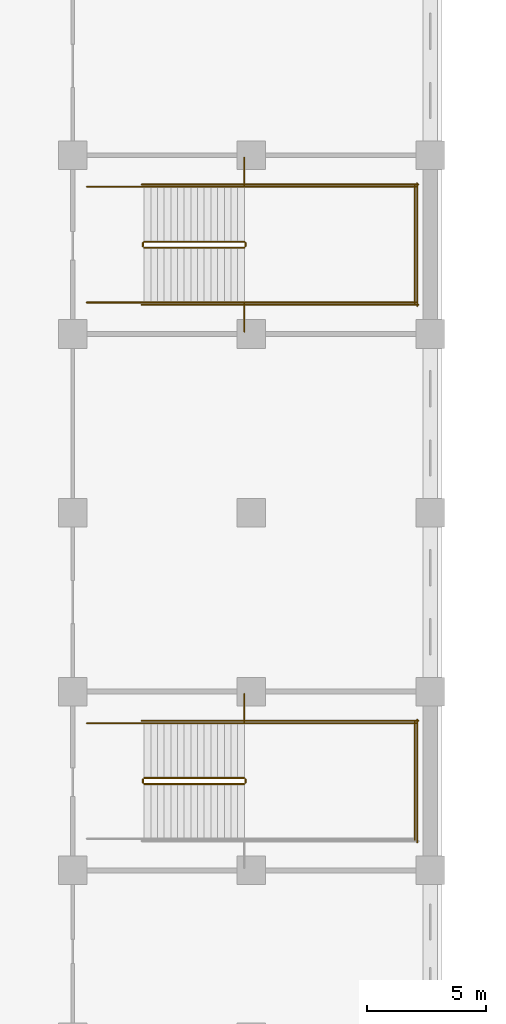
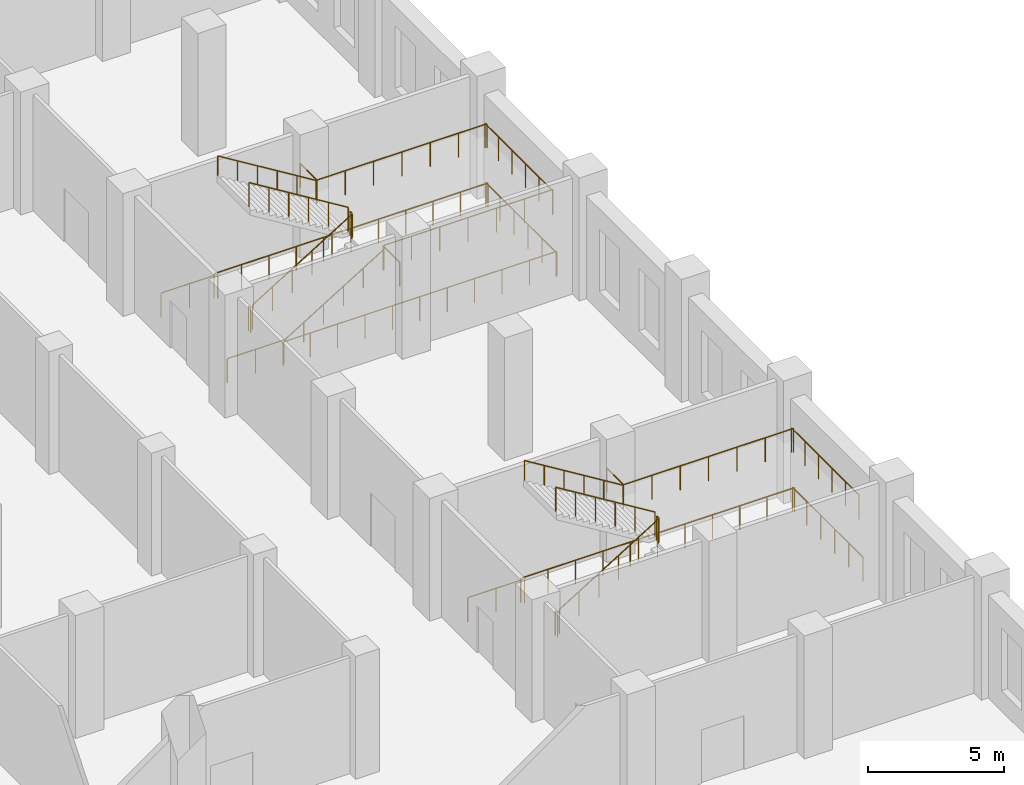
# One storey, part 22 of 25: 27 railings.
"""IFC4 building model written with IfcOpenShell, lengths in metres."""

from ifc_helpers import new_model, si_unit, direction, frame, origin, origin_2d, place, context, subcontext, project, spatial, circle, extrude, material, type_object, element, save


model = new_model("IFC4")

# Units and contexts
model_context = context("Model", 3, precision=1e-05, world=origin(), true_north=direction((0.0, 1.0)))
body_context = subcontext(model_context, "Body", "Model", "MODEL_VIEW")
ifc_project = project(units=[si_unit("LENGTHUNIT", "METRE"), si_unit("AREAUNIT", "SQUARE_METRE"), si_unit("VOLUMEUNIT", "CUBIC_METRE"), si_unit("PLANEANGLEUNIT", "RADIAN"), si_unit("MASSUNIT", "GRAM", prefix="KILO")], contexts=[model_context])

# Site, building, storey
site_placement = place(None, origin())
site = spatial("IfcSite", under=ifc_project, at=site_placement, CompositionType="ELEMENT")
building_placement = place(site_placement, origin())
building = spatial("IfcBuilding", under=site, at=building_placement, Name="Tamorin Gate", CompositionType="ELEMENT")
storey_placement = place(building_placement, frame((0.0, 0.0, 23.5)))
storey = spatial("IfcBuildingStorey", under=building, at=storey_placement, Name="L04", CompositionType="ELEMENT", Elevation=23.5)

# Railings
ifc_material = material(Name="Steel", Category="steel")
railing_type_1 = type_object("IfcRailingType", Name="Podium guard 1100", PredefinedType="GUARDRAIL", material=ifc_material)
railing_1_placement = place(storey_placement, frame((100.0, 56.125, 0.171875)))
element("IfcRailing", 1, at=railing_1_placement, inside=storey, type_object=railing_type_1, Name="L04 PS3 stair guard 1", PredefinedType="GUARDRAIL", context=body_context, shape_type="SweptSolid", body=[
    extrude(circle(Radius=0.02392578125, at=origin_2d()), frame((0.0, 0.0, 1.076171875), z_axis=(0.852242915053, 0.0, 0.523146264196), x_axis=(0.0, 1.0, 0.0)), (0.0, 0.0, 1.0), 4.92822265625),
    extrude(circle(Radius=0.02099609375, at=origin_2d()), origin(), (0.0, 0.0, 1.0), 1.052001953125),
    extrude(circle(Radius=0.02099609375, at=origin_2d()), frame((0.840087890625, 0.0, 0.515625)), (0.0, 0.0, 1.0), 1.052001953125),
    extrude(circle(Radius=0.02099609375, at=origin_2d()), frame((1.679931640625, 0.0, 1.03125)), (0.0, 0.0, 1.0), 1.052001953125),
    extrude(circle(Radius=0.02099609375, at=origin_2d()), frame((2.52001953125, 0.0, 1.546875)), (0.0, 0.0, 1.0), 1.052001953125),
    extrude(circle(Radius=0.02099609375, at=origin_2d()), frame((3.35986328125, 0.0, 2.0625)), (0.0, 0.0, 1.0), 1.052001953125),
    extrude(circle(Radius=0.02099609375, at=origin_2d()), frame((4.199951171875, 0.0, 2.578125)), (0.0, 0.0, 1.0), 1.052001953125),
])
railing_2_placement = place(storey_placement, frame((104.25, 56.175048828125, 2.75)))
element("IfcRailing", 2, at=railing_2_placement, inside=storey, type_object=railing_type_1, Name="L04 PS3 stair guard 2", PredefinedType="GUARDRAIL", context=body_context, shape_type="SweptSolid", body=[
    extrude(circle(Radius=0.02392578125, at=origin_2d()), frame((0.0, 0.0, 1.076171875), z_axis=(0.0, 1.0, 0.0), x_axis=(-1.0, 0.0, 0.0)), (0.0, 0.0, 1.0), 0.14990234375),
    extrude(circle(Radius=0.02099609375, at=origin_2d()), origin(), (0.0, 0.0, 1.0), 1.052001953125),
    extrude(circle(Radius=0.02099609375, at=origin_2d()), frame((0.0, 0.14990234375, 0.0)), (0.0, 0.0, 1.0), 1.052001953125),
])
railing_3_placement = place(storey_placement, frame((104.199951171875, 58.675048828125, 2.75)))
element("IfcRailing", 3, at=railing_3_placement, inside=storey, type_object=railing_type_1, Name="L04 PS3 stair guard 4", PredefinedType="GUARDRAIL", context=body_context, shape_type="SweptSolid", body=[
    extrude(circle(Radius=0.02392578125, at=origin_2d()), frame((0.0, 0.0, 1.076171875), z_axis=(1.0, 0.0, 0.0), x_axis=(0.0, 1.0, 0.0)), (0.0, 0.0, 1.0), 7.199951171875),
    extrude(circle(Radius=0.02099609375, at=origin_2d()), origin(), (0.0, 0.0, 1.0), 1.052001953125),
    extrude(circle(Radius=0.02099609375, at=origin_2d()), frame((1.199951171875, 0.0, 0.0)), (0.0, 0.0, 1.0), 1.052001953125),
    extrude(circle(Radius=0.02099609375, at=origin_2d()), frame((2.39990234375, 0.0, 0.0)), (0.0, 0.0, 1.0), 1.052001953125),
    extrude(circle(Radius=0.02099609375, at=origin_2d()), frame((3.60009765625, 0.0, 0.0)), (0.0, 0.0, 1.0), 1.052001953125),
    extrude(circle(Radius=0.02099609375, at=origin_2d()), frame((4.800048828125, 0.0, 0.0)), (0.0, 0.0, 1.0), 1.052001953125),
    extrude(circle(Radius=0.02099609375, at=origin_2d()), frame((6.0, 0.0, 0.0)), (0.0, 0.0, 1.0), 1.052001953125),
    extrude(circle(Radius=0.02099609375, at=origin_2d()), frame((7.199951171875, 0.0, 0.0)), (0.0, 0.0, 1.0), 1.052001953125),
])
railing_4_placement = place(storey_placement, frame((111.35009765625, 53.77490234375, 2.75)))
element("IfcRailing", 4, at=railing_4_placement, inside=storey, type_object=railing_type_1, Name="L04 PS3 stair guard 5", PredefinedType="GUARDRAIL", context=body_context, shape_type="SweptSolid", body=[
    extrude(circle(Radius=0.02392578125, at=origin_2d()), frame((0.0, 0.0, 1.076171875), z_axis=(0.0, 1.0, 0.0), x_axis=(-1.0, 0.0, 0.0)), (0.0, 0.0, 1.0), 4.9501953125),
    extrude(circle(Radius=0.02099609375, at=origin_2d()), origin(), (0.0, 0.0, 1.0), 1.052001953125),
    extrude(circle(Radius=0.02099609375, at=origin_2d()), frame((0.0, 0.989990234375, 0.0)), (0.0, 0.0, 1.0), 1.052001953125),
    extrude(circle(Radius=0.02099609375, at=origin_2d()), frame((0.0, 1.97998046875, 0.0)), (0.0, 0.0, 1.0), 1.052001953125),
    extrude(circle(Radius=0.02099609375, at=origin_2d()), frame((0.0, 2.97021484375, 0.0)), (0.0, 0.0, 1.0), 1.052001953125),
    extrude(circle(Radius=0.02099609375, at=origin_2d()), frame((0.0, 3.960205078125, 0.0)), (0.0, 0.0, 1.0), 1.052001953125),
    extrude(circle(Radius=0.02099609375, at=origin_2d()), frame((0.0, 4.9501953125, 0.0)), (0.0, 0.0, 1.0), 1.052001953125),
])
railing_5_placement = place(storey_placement, frame((104.199951171875, 56.375, 2.921875)))
element("IfcRailing", 5, at=railing_5_placement, inside=storey, type_object=railing_type_1, Name="L04 PS3 stair guard 6", PredefinedType="GUARDRAIL", context=body_context, shape_type="SweptSolid", body=[
    extrude(circle(Radius=0.02392578125, at=origin_2d()), frame((0.0, 0.0, 1.076171875), z_axis=(-0.852242915053, 0.0, 0.523146264196), x_axis=(0.0, -1.0, 0.0)), (0.0, 0.0, 1.0), 4.92822265625),
    extrude(circle(Radius=0.02099609375, at=origin_2d()), origin(), (0.0, 0.0, 1.0), 1.052001953125),
    extrude(circle(Radius=0.02099609375, at=origin_2d()), frame((-0.840087890625, 0.0, 0.515625)), (0.0, 0.0, 1.0), 1.052001953125),
    extrude(circle(Radius=0.02099609375, at=origin_2d()), frame((-1.679931640625, 0.0, 1.03125)), (0.0, 0.0, 1.0), 1.052001953125),
    extrude(circle(Radius=0.02099609375, at=origin_2d()), frame((-2.52001953125, 0.0, 1.546875)), (0.0, 0.0, 1.0), 1.052001953125),
    extrude(circle(Radius=0.02099609375, at=origin_2d()), frame((-3.35986328125, 0.0, 2.0625)), (0.0, 0.0, 1.0), 1.052001953125),
    extrude(circle(Radius=0.02099609375, at=origin_2d()), frame((-4.199951171875, 0.0, 2.578125)), (0.0, 0.0, 1.0), 1.052001953125),
])
railing_6_placement = place(storey_placement, frame((99.949951171875, 56.175048828125, 0.0)))
element("IfcRailing", 6, at=railing_6_placement, inside=storey, type_object=railing_type_1, Name="L04 PS3 stair guard 7", PredefinedType="GUARDRAIL", context=body_context, shape_type="SweptSolid", body=[
    extrude(circle(Radius=0.02392578125, at=origin_2d()), frame((0.0, 0.0, 1.076171875), z_axis=(0.0, 1.0, 0.0), x_axis=(-1.0, 0.0, 0.0)), (0.0, 0.0, 1.0), 0.14990234375),
    extrude(circle(Radius=0.02099609375, at=origin_2d()), origin(), (0.0, 0.0, 1.0), 1.052001953125),
    extrude(circle(Radius=0.02099609375, at=origin_2d()), frame((0.0, 0.14990234375, 0.0)), (0.0, 0.0, 1.0), 1.052001953125),
])
railing_7_placement = place(storey_placement, frame((97.60009765625, 58.675048828125, 0.0)))
element("IfcRailing", 7, at=railing_7_placement, inside=storey, type_object=railing_type_1, Name="L04 PS3 stair guard 9", PredefinedType="GUARDRAIL", context=body_context, shape_type="SweptSolid", body=[
    extrude(circle(Radius=0.02392578125, at=origin_2d()), frame((0.0, 0.0, 1.076171875), z_axis=(1.0, 0.0, 0.0), x_axis=(0.0, 1.0, 0.0)), (0.0, 0.0, 1.0), 2.39990234375),
    extrude(circle(Radius=0.02099609375, at=origin_2d()), origin(), (0.0, 0.0, 1.0), 1.052001953125),
    extrude(circle(Radius=0.02099609375, at=origin_2d()), frame((1.199951171875, 0.0, 0.0)), (0.0, 0.0, 1.0), 1.052001953125),
    extrude(circle(Radius=0.02099609375, at=origin_2d()), frame((2.39990234375, 0.0, 0.0)), (0.0, 0.0, 1.0), 1.052001953125),
])
railing_8_placement = place(storey_placement, frame((99.89990234375, 58.77490234375, 0.0)))
element("IfcRailing", 8, at=railing_8_placement, inside=storey, type_object=railing_type_1, Name="L04 PS3 stair guard 11", PredefinedType="GUARDRAIL", context=body_context, shape_type="SweptSolid", body=[
    extrude(circle(Radius=0.02392578125, at=origin_2d()), frame((0.0, 0.0, 1.076171875), z_axis=(1.0, 0.0, 0.0), x_axis=(0.0, 1.0, 0.0)), (0.0, 0.0, 1.0), 11.60009765625),
    extrude(circle(Radius=0.02099609375, at=origin_2d()), origin(), (0.0, 0.0, 1.0), 1.052001953125),
    extrude(circle(Radius=0.02099609375, at=origin_2d()), frame((1.159912109375, 0.0, 0.0)), (0.0, 0.0, 1.0), 1.052001953125),
    extrude(circle(Radius=0.02099609375, at=origin_2d()), frame((2.320068359375, 0.0, 0.0)), (0.0, 0.0, 1.0), 1.052001953125),
    extrude(circle(Radius=0.02099609375, at=origin_2d()), frame((3.47998046875, 0.0, 0.0)), (0.0, 0.0, 1.0), 1.052001953125),
    extrude(circle(Radius=0.02099609375, at=origin_2d()), frame((4.64013671875, 0.0, 0.0)), (0.0, 0.0, 1.0), 1.052001953125),
    extrude(circle(Radius=0.02099609375, at=origin_2d()), frame((5.800048828125, 0.0, 0.0)), (0.0, 0.0, 1.0), 1.052001953125),
    extrude(circle(Radius=0.02099609375, at=origin_2d()), frame((6.9599609375, 0.0, 0.0)), (0.0, 0.0, 1.0), 1.052001953125),
    extrude(circle(Radius=0.02099609375, at=origin_2d()), frame((8.1201171875, 0.0, 0.0)), (0.0, 0.0, 1.0), 1.052001953125),
    extrude(circle(Radius=0.02099609375, at=origin_2d()), frame((9.280029296875, 0.0, 0.0)), (0.0, 0.0, 1.0), 1.052001953125),
    extrude(circle(Radius=0.02099609375, at=origin_2d()), frame((10.440185546875, 0.0, 0.0)), (0.0, 0.0, 1.0), 1.052001953125),
    extrude(circle(Radius=0.02099609375, at=origin_2d()), frame((11.60009765625, 0.0, 0.0)), (0.0, 0.0, 1.0), 1.052001953125),
])
railing_9_placement = place(storey_placement, frame((111.449951171875, 53.675048828125, 0.0)))
element("IfcRailing", 9, at=railing_9_placement, inside=storey, type_object=railing_type_1, Name="L04 PS3 stair guard 12", PredefinedType="GUARDRAIL", context=body_context, shape_type="SweptSolid", body=[
    extrude(circle(Radius=0.02392578125, at=origin_2d()), frame((0.0, 0.0, 1.076171875), z_axis=(0.0, 1.0, 0.0), x_axis=(-1.0, 0.0, 0.0)), (0.0, 0.0, 1.0), 5.14990234375),
    extrude(circle(Radius=0.02099609375, at=origin_2d()), origin(), (0.0, 0.0, 1.0), 1.052001953125),
    extrude(circle(Radius=0.02099609375, at=origin_2d()), frame((0.0, 1.030029296875, 0.0)), (0.0, 0.0, 1.0), 1.052001953125),
    extrude(circle(Radius=0.02099609375, at=origin_2d()), frame((0.0, 2.06005859375, 0.0)), (0.0, 0.0, 1.0), 1.052001953125),
    extrude(circle(Radius=0.02099609375, at=origin_2d()), frame((0.0, 3.08984375, 0.0)), (0.0, 0.0, 1.0), 1.052001953125),
    extrude(circle(Radius=0.02099609375, at=origin_2d()), frame((0.0, 4.119873046875, 0.0)), (0.0, 0.0, 1.0), 1.052001953125),
    extrude(circle(Radius=0.02099609375, at=origin_2d()), frame((0.0, 5.14990234375, 0.0)), (0.0, 0.0, 1.0), 1.052001953125),
])
railing_10_placement = place(storey_placement, frame((104.199951171875, 58.72509765625, 2.75)))
element("IfcRailing", 10, at=railing_10_placement, inside=storey, type_object=railing_type_1, Name="Landing edge guard", PredefinedType="GUARDRAIL", context=body_context, shape_type="SweptSolid", body=[
    extrude(circle(Radius=0.02392578125, at=origin_2d()), frame((0.0, 0.0, 1.076171875), z_axis=(0.0, 1.0, 0.0), x_axis=(-1.0, 0.0, 0.0)), (0.0, 0.0, 1.0), 1.1748046875),
    extrude(circle(Radius=0.02099609375, at=origin_2d()), origin(), (0.0, 0.0, 1.0), 1.052001953125),
    extrude(circle(Radius=0.02099609375, at=origin_2d()), frame((0.0, 1.1748046875, 0.0)), (0.0, 0.0, 1.0), 1.052001953125),
])
railing_11_placement = place(storey_placement, frame((100.0, 78.625, 0.171875)))
element("IfcRailing", 11, at=railing_11_placement, inside=storey, type_object=railing_type_1, Name="L04 PS5 stair guard 1", PredefinedType="GUARDRAIL", context=body_context, shape_type="SweptSolid", body=[
    extrude(circle(Radius=0.02392578125, at=origin_2d()), frame((0.0, 0.0, 1.076171875), z_axis=(0.852242915053, 0.0, 0.523146264196), x_axis=(0.0, 1.0, 0.0)), (0.0, 0.0, 1.0), 4.92822265625),
    extrude(circle(Radius=0.02099609375, at=origin_2d()), origin(), (0.0, 0.0, 1.0), 1.052001953125),
    extrude(circle(Radius=0.02099609375, at=origin_2d()), frame((0.840087890625, 0.0, 0.515625)), (0.0, 0.0, 1.0), 1.052001953125),
    extrude(circle(Radius=0.02099609375, at=origin_2d()), frame((1.679931640625, 0.0, 1.03125)), (0.0, 0.0, 1.0), 1.052001953125),
    extrude(circle(Radius=0.02099609375, at=origin_2d()), frame((2.52001953125, 0.0, 1.546875)), (0.0, 0.0, 1.0), 1.052001953125),
    extrude(circle(Radius=0.02099609375, at=origin_2d()), frame((3.35986328125, 0.0, 2.0625)), (0.0, 0.0, 1.0), 1.052001953125),
    extrude(circle(Radius=0.02099609375, at=origin_2d()), frame((4.199951171875, 0.0, 2.578125)), (0.0, 0.0, 1.0), 1.052001953125),
])
railing_12_placement = place(storey_placement, frame((104.25, 78.675048828125, 2.75)))
element("IfcRailing", 12, at=railing_12_placement, inside=storey, type_object=railing_type_1, Name="L04 PS5 stair guard 2", PredefinedType="GUARDRAIL", context=body_context, shape_type="SweptSolid", body=[
    extrude(circle(Radius=0.02392578125, at=origin_2d()), frame((0.0, 0.0, 1.076171875), z_axis=(0.0, 1.0, 0.0), x_axis=(-1.0, 0.0, 0.0)), (0.0, 0.0, 1.0), 0.14990234375),
    extrude(circle(Radius=0.02099609375, at=origin_2d()), origin(), (0.0, 0.0, 1.0), 1.052001953125),
    extrude(circle(Radius=0.02099609375, at=origin_2d()), frame((0.0, 0.14990234375, 0.0)), (0.0, 0.0, 1.0), 1.052001953125),
])
for number, where, name in (
    (13, (104.199951171875, 76.324951171875, 2.75), "L04 PS5 stair guard 3"),
    (14, (104.199951171875, 81.175048828125, 2.75), "L04 PS5 stair guard 4"),
):
    element("IfcRailing", number, at=place(storey_placement, frame(where)), inside=storey, type_object=railing_type_1, Name=name, PredefinedType="GUARDRAIL", context=body_context, shape_type="SweptSolid", body=[
        extrude(circle(Radius=0.02392578125, at=origin_2d()), frame((0.0, 0.0, 1.076171875), z_axis=(1.0, 0.0, 0.0), x_axis=(0.0, 1.0, 0.0)), (0.0, 0.0, 1.0), 7.199951171875),
        extrude(circle(Radius=0.02099609375, at=origin_2d()), origin(), (0.0, 0.0, 1.0), 1.052001953125),
        extrude(circle(Radius=0.02099609375, at=origin_2d()), frame((1.199951171875, 0.0, 0.0)), (0.0, 0.0, 1.0), 1.052001953125),
        extrude(circle(Radius=0.02099609375, at=origin_2d()), frame((2.39990234375, 0.0, 0.0)), (0.0, 0.0, 1.0), 1.052001953125),
        extrude(circle(Radius=0.02099609375, at=origin_2d()), frame((3.60009765625, 0.0, 0.0)), (0.0, 0.0, 1.0), 1.052001953125),
        extrude(circle(Radius=0.02099609375, at=origin_2d()), frame((4.800048828125, 0.0, 0.0)), (0.0, 0.0, 1.0), 1.052001953125),
        extrude(circle(Radius=0.02099609375, at=origin_2d()), frame((6.0, 0.0, 0.0)), (0.0, 0.0, 1.0), 1.052001953125),
        extrude(circle(Radius=0.02099609375, at=origin_2d()), frame((7.199951171875, 0.0, 0.0)), (0.0, 0.0, 1.0), 1.052001953125),
    ])
railing_13_placement = place(storey_placement, frame((111.35009765625, 76.27490234375, 2.75)))
element("IfcRailing", 15, at=railing_13_placement, inside=storey, type_object=railing_type_1, Name="L04 PS5 stair guard 5", PredefinedType="GUARDRAIL", context=body_context, shape_type="SweptSolid", body=[
    extrude(circle(Radius=0.02392578125, at=origin_2d()), frame((0.0, 0.0, 1.076171875), z_axis=(0.0, 1.0, 0.0), x_axis=(-1.0, 0.0, 0.0)), (0.0, 0.0, 1.0), 4.9501953125),
    extrude(circle(Radius=0.02099609375, at=origin_2d()), origin(), (0.0, 0.0, 1.0), 1.052001953125),
    extrude(circle(Radius=0.02099609375, at=origin_2d()), frame((0.0, 0.989990234375, 0.0)), (0.0, 0.0, 1.0), 1.052001953125),
    extrude(circle(Radius=0.02099609375, at=origin_2d()), frame((0.0, 1.97998046875, 0.0)), (0.0, 0.0, 1.0), 1.052001953125),
    extrude(circle(Radius=0.02099609375, at=origin_2d()), frame((0.0, 2.97021484375, 0.0)), (0.0, 0.0, 1.0), 1.052001953125),
    extrude(circle(Radius=0.02099609375, at=origin_2d()), frame((0.0, 3.960205078125, 0.0)), (0.0, 0.0, 1.0), 1.052001953125),
    extrude(circle(Radius=0.02099609375, at=origin_2d()), frame((0.0, 4.9501953125, 0.0)), (0.0, 0.0, 1.0), 1.052001953125),
])
railing_14_placement = place(storey_placement, frame((104.199951171875, 78.875, 2.921875)))
element("IfcRailing", 16, at=railing_14_placement, inside=storey, type_object=railing_type_1, Name="L04 PS5 stair guard 6", PredefinedType="GUARDRAIL", context=body_context, shape_type="SweptSolid", body=[
    extrude(circle(Radius=0.02392578125, at=origin_2d()), frame((0.0, 0.0, 1.076171875), z_axis=(-0.852242915053, 0.0, 0.523146264196), x_axis=(0.0, -1.0, 0.0)), (0.0, 0.0, 1.0), 4.92822265625),
    extrude(circle(Radius=0.02099609375, at=origin_2d()), origin(), (0.0, 0.0, 1.0), 1.052001953125),
    extrude(circle(Radius=0.02099609375, at=origin_2d()), frame((-0.840087890625, 0.0, 0.515625)), (0.0, 0.0, 1.0), 1.052001953125),
    extrude(circle(Radius=0.02099609375, at=origin_2d()), frame((-1.679931640625, 0.0, 1.03125)), (0.0, 0.0, 1.0), 1.052001953125),
    extrude(circle(Radius=0.02099609375, at=origin_2d()), frame((-2.52001953125, 0.0, 1.546875)), (0.0, 0.0, 1.0), 1.052001953125),
    extrude(circle(Radius=0.02099609375, at=origin_2d()), frame((-3.35986328125, 0.0, 2.0625)), (0.0, 0.0, 1.0), 1.052001953125),
    extrude(circle(Radius=0.02099609375, at=origin_2d()), frame((-4.199951171875, 0.0, 2.578125)), (0.0, 0.0, 1.0), 1.052001953125),
])
railing_15_placement = place(storey_placement, frame((99.949951171875, 78.675048828125, 0.0)))
element("IfcRailing", 17, at=railing_15_placement, inside=storey, type_object=railing_type_1, Name="L04 PS5 stair guard 7", PredefinedType="GUARDRAIL", context=body_context, shape_type="SweptSolid", body=[
    extrude(circle(Radius=0.02392578125, at=origin_2d()), frame((0.0, 0.0, 1.076171875), z_axis=(0.0, 1.0, 0.0), x_axis=(-1.0, 0.0, 0.0)), (0.0, 0.0, 1.0), 0.14990234375),
    extrude(circle(Radius=0.02099609375, at=origin_2d()), origin(), (0.0, 0.0, 1.0), 1.052001953125),
    extrude(circle(Radius=0.02099609375, at=origin_2d()), frame((0.0, 0.14990234375, 0.0)), (0.0, 0.0, 1.0), 1.052001953125),
])
for number, where, name in (
    (18, (97.60009765625, 76.324951171875, 0.0), "L04 PS5 stair guard 8"),
    (19, (97.60009765625, 81.175048828125, 0.0), "L04 PS5 stair guard 9"),
):
    element("IfcRailing", number, at=place(storey_placement, frame(where)), inside=storey, type_object=railing_type_1, Name=name, PredefinedType="GUARDRAIL", context=body_context, shape_type="SweptSolid", body=[
        extrude(circle(Radius=0.02392578125, at=origin_2d()), frame((0.0, 0.0, 1.076171875), z_axis=(1.0, 0.0, 0.0), x_axis=(0.0, 1.0, 0.0)), (0.0, 0.0, 1.0), 2.39990234375),
        extrude(circle(Radius=0.02099609375, at=origin_2d()), origin(), (0.0, 0.0, 1.0), 1.052001953125),
        extrude(circle(Radius=0.02099609375, at=origin_2d()), frame((1.199951171875, 0.0, 0.0)), (0.0, 0.0, 1.0), 1.052001953125),
        extrude(circle(Radius=0.02099609375, at=origin_2d()), frame((2.39990234375, 0.0, 0.0)), (0.0, 0.0, 1.0), 1.052001953125),
    ])
for number, where, name in (
    (20, (99.89990234375, 76.22509765625, 0.0), "L04 PS5 stair guard 10"),
    (21, (99.89990234375, 81.27490234375, 0.0), "L04 PS5 stair guard 11"),
):
    element("IfcRailing", number, at=place(storey_placement, frame(where)), inside=storey, type_object=railing_type_1, Name=name, PredefinedType="GUARDRAIL", context=body_context, shape_type="SweptSolid", body=[
        extrude(circle(Radius=0.02392578125, at=origin_2d()), frame((0.0, 0.0, 1.076171875), z_axis=(1.0, 0.0, 0.0), x_axis=(0.0, 1.0, 0.0)), (0.0, 0.0, 1.0), 11.60009765625),
        extrude(circle(Radius=0.02099609375, at=origin_2d()), origin(), (0.0, 0.0, 1.0), 1.052001953125),
        extrude(circle(Radius=0.02099609375, at=origin_2d()), frame((1.159912109375, 0.0, 0.0)), (0.0, 0.0, 1.0), 1.052001953125),
        extrude(circle(Radius=0.02099609375, at=origin_2d()), frame((2.320068359375, 0.0, 0.0)), (0.0, 0.0, 1.0), 1.052001953125),
        extrude(circle(Radius=0.02099609375, at=origin_2d()), frame((3.47998046875, 0.0, 0.0)), (0.0, 0.0, 1.0), 1.052001953125),
        extrude(circle(Radius=0.02099609375, at=origin_2d()), frame((4.64013671875, 0.0, 0.0)), (0.0, 0.0, 1.0), 1.052001953125),
        extrude(circle(Radius=0.02099609375, at=origin_2d()), frame((5.800048828125, 0.0, 0.0)), (0.0, 0.0, 1.0), 1.052001953125),
        extrude(circle(Radius=0.02099609375, at=origin_2d()), frame((6.9599609375, 0.0, 0.0)), (0.0, 0.0, 1.0), 1.052001953125),
        extrude(circle(Radius=0.02099609375, at=origin_2d()), frame((8.1201171875, 0.0, 0.0)), (0.0, 0.0, 1.0), 1.052001953125),
        extrude(circle(Radius=0.02099609375, at=origin_2d()), frame((9.280029296875, 0.0, 0.0)), (0.0, 0.0, 1.0), 1.052001953125),
        extrude(circle(Radius=0.02099609375, at=origin_2d()), frame((10.440185546875, 0.0, 0.0)), (0.0, 0.0, 1.0), 1.052001953125),
        extrude(circle(Radius=0.02099609375, at=origin_2d()), frame((11.60009765625, 0.0, 0.0)), (0.0, 0.0, 1.0), 1.052001953125),
    ])
railing_16_placement = place(storey_placement, frame((111.449951171875, 76.175048828125, 0.0)))
element("IfcRailing", 22, at=railing_16_placement, inside=storey, type_object=railing_type_1, Name="L04 PS5 stair guard 12", PredefinedType="GUARDRAIL", context=body_context, shape_type="SweptSolid", body=[
    extrude(circle(Radius=0.02392578125, at=origin_2d()), frame((0.0, 0.0, 1.076171875), z_axis=(0.0, 1.0, 0.0), x_axis=(-1.0, 0.0, 0.0)), (0.0, 0.0, 1.0), 5.14990234375),
    extrude(circle(Radius=0.02099609375, at=origin_2d()), origin(), (0.0, 0.0, 1.0), 1.052001953125),
    extrude(circle(Radius=0.02099609375, at=origin_2d()), frame((0.0, 1.030029296875, 0.0)), (0.0, 0.0, 1.0), 1.052001953125),
    extrude(circle(Radius=0.02099609375, at=origin_2d()), frame((0.0, 2.06005859375, 0.0)), (0.0, 0.0, 1.0), 1.052001953125),
    extrude(circle(Radius=0.02099609375, at=origin_2d()), frame((0.0, 3.08984375, 0.0)), (0.0, 0.0, 1.0), 1.052001953125),
    extrude(circle(Radius=0.02099609375, at=origin_2d()), frame((0.0, 4.119873046875, 0.0)), (0.0, 0.0, 1.0), 1.052001953125),
    extrude(circle(Radius=0.02099609375, at=origin_2d()), frame((0.0, 5.14990234375, 0.0)), (0.0, 0.0, 1.0), 1.052001953125),
])
for number, where, name in (
    (23, (104.199951171875, 75.10009765625, 2.75), "Landing edge guard"),
    (24, (104.199951171875, 81.22509765625, 2.75), "Landing edge guard"),
):
    element("IfcRailing", number, at=place(storey_placement, frame(where)), inside=storey, type_object=railing_type_1, Name=name, PredefinedType="GUARDRAIL", context=body_context, shape_type="SweptSolid", body=[
        extrude(circle(Radius=0.02392578125, at=origin_2d()), frame((0.0, 0.0, 1.076171875), z_axis=(0.0, 1.0, 0.0), x_axis=(-1.0, 0.0, 0.0)), (0.0, 0.0, 1.0), 1.1748046875),
        extrude(circle(Radius=0.02099609375, at=origin_2d()), origin(), (0.0, 0.0, 1.0), 1.052001953125),
        extrude(circle(Radius=0.02099609375, at=origin_2d()), frame((0.0, 1.1748046875, 0.0)), (0.0, 0.0, 1.0), 1.052001953125),
    ])
railing_type_2 = type_object("IfcRailingType", Name="Podium stair handrail 900", PredefinedType="HANDRAIL", material=ifc_material)
railing_17_placement = place(storey_placement, frame((104.199951171875, 58.675048828125, 2.921875)))
element("IfcRailing", 25, at=railing_17_placement, inside=storey, type_object=railing_type_2, Name="L04 PS3 stair handrail 2", PredefinedType="HANDRAIL", context=body_context, shape_type="SweptSolid", body=[
    extrude(circle(Radius=0.02392578125, at=origin_2d()), frame((0.0, 0.0, 0.8759765625), z_axis=(-0.852242915053, 0.0, 0.523146264196), x_axis=(0.0, -1.0, 0.0)), (0.0, 0.0, 1.0), 4.92822265625),
    extrude(circle(Radius=0.02099609375, at=origin_2d()), origin(), (0.0, 0.0, 1.0), 0.851806640625),
    extrude(circle(Radius=0.02099609375, at=origin_2d()), frame((-0.840087890625, 0.0, 0.515625)), (0.0, 0.0, 1.0), 0.851806640625),
    extrude(circle(Radius=0.02099609375, at=origin_2d()), frame((-1.679931640625, 0.0, 1.03125)), (0.0, 0.0, 1.0), 0.851806640625),
    extrude(circle(Radius=0.02099609375, at=origin_2d()), frame((-2.52001953125, 0.0, 1.546875)), (0.0, 0.0, 1.0), 0.851806640625),
    extrude(circle(Radius=0.02099609375, at=origin_2d()), frame((-3.35986328125, 0.0, 2.0625)), (0.0, 0.0, 1.0), 0.851806640625),
    extrude(circle(Radius=0.02099609375, at=origin_2d()), frame((-4.199951171875, 0.0, 2.578125)), (0.0, 0.0, 1.0), 0.851806640625),
])
railing_18_placement = place(storey_placement, frame((100.0, 76.324951171875, 0.171875)))
element("IfcRailing", 26, at=railing_18_placement, inside=storey, type_object=railing_type_2, Name="L04 PS5 stair handrail 1", PredefinedType="HANDRAIL", context=body_context, shape_type="SweptSolid", body=[
    extrude(circle(Radius=0.02392578125, at=origin_2d()), frame((0.0, 0.0, 0.8759765625), z_axis=(0.852242915053, 0.0, 0.523146264196), x_axis=(0.0, 1.0, 0.0)), (0.0, 0.0, 1.0), 4.92822265625),
    extrude(circle(Radius=0.02099609375, at=origin_2d()), origin(), (0.0, 0.0, 1.0), 0.851806640625),
    extrude(circle(Radius=0.02099609375, at=origin_2d()), frame((0.840087890625, 0.0, 0.515625)), (0.0, 0.0, 1.0), 0.851806640625),
    extrude(circle(Radius=0.02099609375, at=origin_2d()), frame((1.679931640625, 0.0, 1.03125)), (0.0, 0.0, 1.0), 0.851806640625),
    extrude(circle(Radius=0.02099609375, at=origin_2d()), frame((2.52001953125, 0.0, 1.546875)), (0.0, 0.0, 1.0), 0.851806640625),
    extrude(circle(Radius=0.02099609375, at=origin_2d()), frame((3.35986328125, 0.0, 2.0625)), (0.0, 0.0, 1.0), 0.851806640625),
    extrude(circle(Radius=0.02099609375, at=origin_2d()), frame((4.199951171875, 0.0, 2.578125)), (0.0, 0.0, 1.0), 0.851806640625),
])
railing_19_placement = place(storey_placement, frame((104.199951171875, 81.175048828125, 2.921875)))
element("IfcRailing", 27, at=railing_19_placement, inside=storey, type_object=railing_type_2, Name="L04 PS5 stair handrail 2", PredefinedType="HANDRAIL", context=body_context, shape_type="SweptSolid", body=[
    extrude(circle(Radius=0.02392578125, at=origin_2d()), frame((0.0, 0.0, 0.8759765625), z_axis=(-0.852242915053, 0.0, 0.523146264196), x_axis=(0.0, -1.0, 0.0)), (0.0, 0.0, 1.0), 4.92822265625),
    extrude(circle(Radius=0.02099609375, at=origin_2d()), origin(), (0.0, 0.0, 1.0), 0.851806640625),
    extrude(circle(Radius=0.02099609375, at=origin_2d()), frame((-0.840087890625, 0.0, 0.515625)), (0.0, 0.0, 1.0), 0.851806640625),
    extrude(circle(Radius=0.02099609375, at=origin_2d()), frame((-1.679931640625, 0.0, 1.03125)), (0.0, 0.0, 1.0), 0.851806640625),
    extrude(circle(Radius=0.02099609375, at=origin_2d()), frame((-2.52001953125, 0.0, 1.546875)), (0.0, 0.0, 1.0), 0.851806640625),
    extrude(circle(Radius=0.02099609375, at=origin_2d()), frame((-3.35986328125, 0.0, 2.0625)), (0.0, 0.0, 1.0), 0.851806640625),
    extrude(circle(Radius=0.02099609375, at=origin_2d()), frame((-4.199951171875, 0.0, 2.578125)), (0.0, 0.0, 1.0), 0.851806640625),
])

save(model, "model.ifc")
